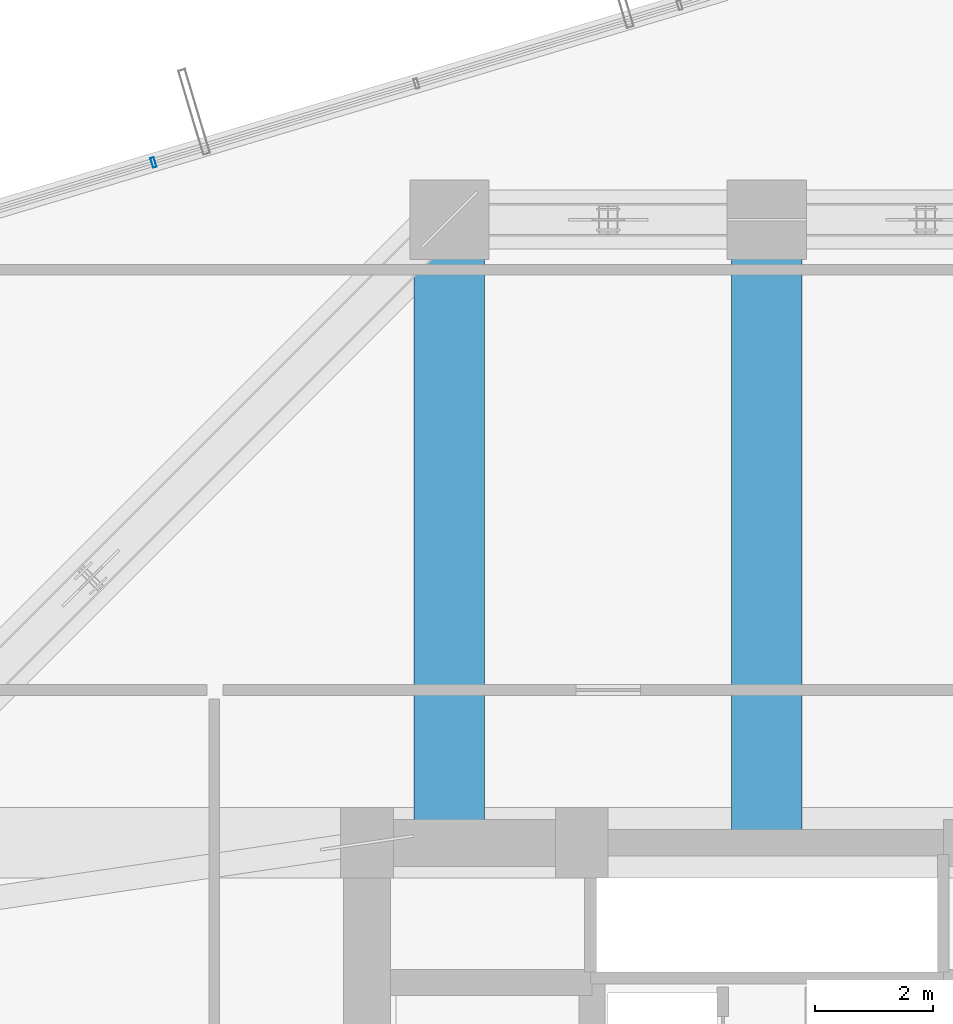
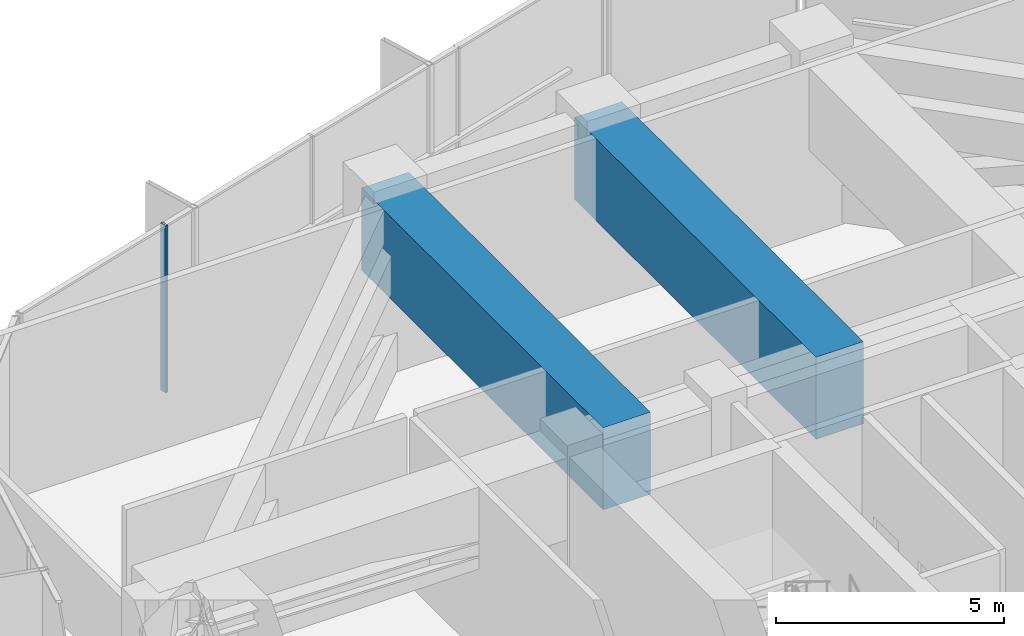
# One storey, part 25 of 41: 2 beams, 1 member, 1 element without a shape of its own.
"""IFC4 building model written with IfcOpenShell, lengths in metres."""

from ifc_helpers import new_model, si_unit, direction, frame, origin, origin_2d, place, context, subcontext, project, spatial, rectangle, hollow_rectangle, extrude, source, transform, mapped, material, layer, layer_set, material_profile, profile_set, type_object, element, aggregate, save


model = new_model("IFC4")

# Units and contexts
model_context = context("Model", 3, precision=1e-05, world=origin(), true_north=direction((0.0, 1.0)))
body_context = subcontext(model_context, "Body", "Model", "MODEL_VIEW")
ifc_project = project(units=[si_unit("LENGTHUNIT", "METRE"), si_unit("AREAUNIT", "SQUARE_METRE"), si_unit("VOLUMEUNIT", "CUBIC_METRE"), si_unit("PLANEANGLEUNIT", "RADIAN"), si_unit("MASSUNIT", "GRAM", prefix="KILO")], contexts=[model_context])

# Site, building, storey
site_placement = place(None, origin())
site = spatial("IfcSite", under=ifc_project, at=site_placement, CompositionType="ELEMENT")
building_placement = place(site_placement, origin())
building = spatial("IfcBuilding", under=site, at=building_placement, Name="Veraguas Prism Commons", CompositionType="ELEMENT")
storey_placement = place(building_placement, frame((0.0, 0.0, 80.35009765625)))
storey = spatial("IfcBuildingStorey", under=building, at=storey_placement, Name="L22", CompositionType="ELEMENT", Elevation=80.35009765625)

# Beams
ifc_material_1 = material(Name="Concrete C50/60", Category="concrete")
ifc_material_profile_1 = material_profile(ifc_material_1, rectangle(XDim=1.199951171875, YDim=2.199951171875, at=origin_2d()), Name="RC1200X2200")
ifc_profile_set_1 = profile_set([ifc_material_profile_1], Name="Concrete C50/60")
beam_type = type_object("IfcBeamType", Name="Podium Transfer Girder RC 1200x2200", PredefinedType="BEAM", material=ifc_profile_set_1)
for number, where, z_axis, x_axis, name in (
    (1, (24.0, 41.60009765625, 3.3798828125), (0.0, -1.0, 0.0), (1.0, 0.0, 0.0), "Setback Transfer Girder L22-05"),
    (2, (18.60009765625, 41.60009765625, 3.3798828125), (0.0, -1.0, 0.0), (1.0, 0.0, 0.0), "Setback Transfer Girder L22-06"),
):
    element("IfcBeam", number, at=place(storey_placement, frame(where, z_axis=z_axis, x_axis=x_axis)), inside=storey, type_object=beam_type, Name=name, PredefinedType="BEAM", context=body_context, shape_type="SweptSolid", body=[
        extrude(rectangle(XDim=1.199951171875, YDim=2.199951171875, at=origin_2d()), origin(), (0.0, 0.0, 1.0), 10.60009765625),
    ])

# Curtain wall, member
ifc_material_2 = material(Name="Anodised aluminium EN AW-6063 T6", Category="aluminium")
ifc_layer = layer(ifc_material_2, 0.169921875, Name="Unitised Flush Curtain Wall Zone 1", Category="aluminium")
ifc_layer_set = layer_set([ifc_layer], Name="Anodised aluminium EN AW-6063 T6")
curtain_wall_type = type_object("IfcCurtainWallType", Name="Unitised Flush Curtain Wall Zone 1", PredefinedType="NOTDEFINED", material=ifc_layer_set)
curtain_wall_placement = place(storey_placement, origin())
curtain_wall = element("IfcCurtainWall", 3, at=curtain_wall_placement, inside=storey, type_object=curtain_wall_type, Name="Tower Facade Curtain Wall L22-F2", PredefinedType="NOTDEFINED")
ifc_material_profile_2 = material_profile(ifc_material_2, hollow_rectangle(XDim=0.06005859375, YDim=0.169921875, WallThickness=0.00390625, at=origin_2d()), Name="AL60X170X4")
ifc_profile_set_2 = profile_set([ifc_material_profile_2], Name="Anodised aluminium EN AW-6063 T6")
member_type = type_object("IfcMemberType", Name="Curtain Wall Mullion Lower AL 60x170x4", PredefinedType="MULLION", material=ifc_profile_set_2)
shared_shape = source(origin(), body_context, "Body", "SweptSolid", [
    extrude(hollow_rectangle(XDim=0.06005859375, YDim=0.169921875, WallThickness=0.00390625, at=origin_2d()), origin(), (0.0, 0.0, 1.0), 4.47998046875),
])
member_placement = place(storey_placement, frame((13.56640625, 42.572998046875, 0.0), z_axis=(0.0, 0.0, 1.0), x_axis=(-0.958022876902, -0.286691763629, 0.0)))
member = element("IfcMember", 4, at=member_placement, type_object=member_type, Name="CW-Z1 Mullion 4", PredefinedType="MULLION", context=body_context, shape_type="MappedRepresentation", body=[
    mapped(shared_shape, transform((0.0, 0.0, 0.0), scale=1.0)),
])
aggregate(curtain_wall, [member])

save(model, "model.ifc")
